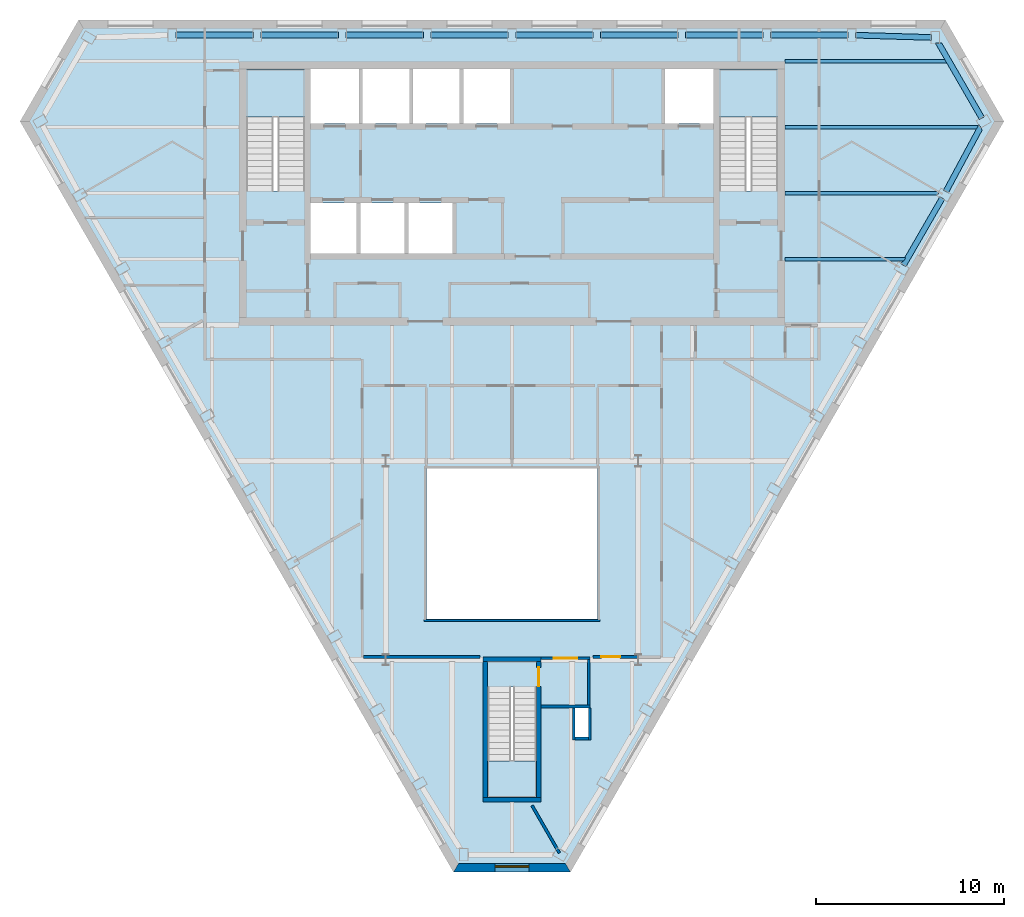
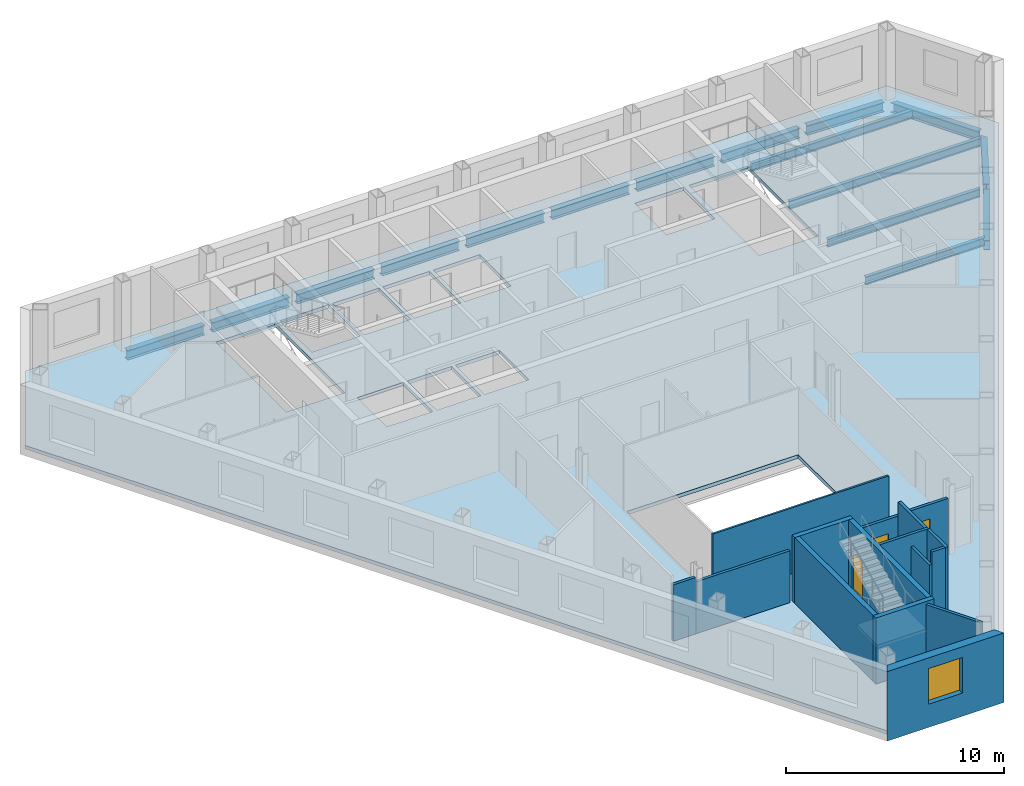
# One storey, part 3 of 10: 16 beams, 16 walls, 4 slabs, 3 doors, 1 window, 4 openings, 3 elements without a shape of their own.
"""IFC4 building model written with IfcOpenShell, lengths in metres."""

from ifc_helpers import new_model, si_unit, direction, frame, frame_2d, origin, origin_2d, place, context, subcontext, project, spatial, polyline, rectangle, i_section, outline, extrude, clip, halfspace, material, layer, layer_set, material_profile, profile_set, type_object, element, fill, aggregate, save


model = new_model("IFC4")

# Units and contexts
model_context = context("Model", 3, precision=1e-05, world=origin(), true_north=direction((0.0, 1.0)))
body_context = subcontext(model_context, "Body", "Model", "MODEL_VIEW")
ifc_project = project(units=[si_unit("LENGTHUNIT", "METRE"), si_unit("AREAUNIT", "SQUARE_METRE"), si_unit("VOLUMEUNIT", "CUBIC_METRE"), si_unit("PLANEANGLEUNIT", "RADIAN"), si_unit("MASSUNIT", "GRAM", prefix="KILO")], contexts=[model_context])

# Site, building, storey
site_placement = place(None, origin())
site = spatial("IfcSite", under=ifc_project, at=site_placement, CompositionType="ELEMENT")
building_placement = place(site_placement, origin())
building = spatial("IfcBuilding", under=site, at=building_placement, Name="Njiva Tower", CompositionType="ELEMENT")
storey_placement = place(building_placement, frame((0.0, 0.0, 249.3)))
storey = spatial("IfcBuildingStorey", under=building, at=storey_placement, Name="L56", CompositionType="ELEMENT", Elevation=249.3)

# Beams
ifc_material_1 = material(Name="Steel S355 J2", Category="steel")
ifc_material_profile_1 = material_profile(ifc_material_1, i_section(OverallWidth=0.19, OverallDepth=0.45, WebThickness=0.0094, FlangeThickness=0.0146, at=origin_2d()), Name="IPE 450")
ifc_profile_set_1 = profile_set([ifc_material_profile_1], Name="Steel S355 J2")
beam_type_1 = type_object("IfcBeamType", Name="B37 Floor beam to the core IPE 450", PredefinedType="BEAM", material=ifc_profile_set_1)
beam_1_placement = place(storey_placement, frame((14.5, 7.5, -0.425), z_axis=(1.0, 0.0, 0.0), x_axis=(0.0, 1.0, 0.0)))
element("IfcBeam", 1, at=beam_1_placement, inside=storey, type_object=beam_type_1, Name="Floor beam to the core S18-B015", PredefinedType="BEAM", context=body_context, shape_type="Clipping", body=[
    clip(extrude(i_section(OverallWidth=0.19, OverallDepth=0.45, WebThickness=0.0094, FlangeThickness=0.0146, at=origin_2d()), origin(), (0.0, 0.0, 1.0), 6.418), halfspace(frame((-0.025, 0.0, 6.329), z_axis=(-0.499998009787, 0.0, 0.866026552831), x_axis=(0.0, 1.0, 0.0)), False)),
])
beam_2_placement = place(storey_placement, frame((14.5, 11.0, -0.425), z_axis=(1.0, 0.0, 0.0), x_axis=(0.0, 1.0, 0.0)))
element("IfcBeam", 2, at=beam_2_placement, inside=storey, type_object=beam_type_1, Name="Floor beam to the core S18-B016", PredefinedType="BEAM", context=body_context, shape_type="Clipping", body=[
    clip(extrude(i_section(OverallWidth=0.19, OverallDepth=0.45, WebThickness=0.0094, FlangeThickness=0.0146, at=origin_2d()), origin(), (0.0, 0.0, 1.0), 8.209), halfspace(frame((-0.025, 0.0, 8.1191), z_axis=(-0.499998009787, 0.0, 0.866026552831), x_axis=(0.0, 1.0, 0.0)), False)),
])
beam_3_placement = place(storey_placement, frame((14.5, 18.0, -0.425), z_axis=(1.0, 0.0, 0.0), x_axis=(0.0, 1.0, 0.0)))
element("IfcBeam", 3, at=beam_3_placement, inside=storey, type_object=beam_type_1, Name="Floor beam to the core S18-B019", PredefinedType="BEAM", context=body_context, shape_type="Clipping", body=[
    clip(extrude(i_section(OverallWidth=0.19, OverallDepth=0.45, WebThickness=0.0094, FlangeThickness=0.0146, at=origin_2d()), origin(), (0.0, 0.0, 1.0), 8.657), halfspace(frame((0.025, 0.0, 8.5678), z_axis=(0.499998009787, 0.0, 0.866026552831), x_axis=(0.0, 1.0, 0.0)), False)),
])
ifc_material_profile_2 = material_profile(ifc_material_1, i_section(OverallWidth=0.3, OverallDepth=0.54, WebThickness=0.0125, FlangeThickness=0.024, at=origin_2d()), Name="HEA 550")
ifc_profile_set_2 = profile_set([ifc_material_profile_2], Name="Steel S355 J2")
beam_type_2 = type_object("IfcBeamType", Name="B39 Short-span spandrel beam HEA 550", PredefinedType="SPANDREL", material=ifc_profile_set_2)
beam_4_placement = place(storey_placement, frame((22.262, 19.273, -0.47), z_axis=(-0.999548216451, 0.030055997562, 0.0), x_axis=(-0.030055997562, -0.999548216451, 0.0)))
element("IfcBeam", 4, at=beam_4_placement, inside=storey, type_object=beam_type_2, Name="Short-span spandrel beam S18-B137", PredefinedType="SPANDREL", context=body_context, shape_type="SweptSolid", body=[
    extrude(i_section(OverallWidth=0.3, OverallDepth=0.54, WebThickness=0.0125, FlangeThickness=0.024, at=origin_2d()), origin(), (0.0, 0.0, 1.0), 4.0258),
])
beam_5_placement = place(storey_placement, frame((17.834, 19.4, -0.47), z_axis=(-1.0, 0.0, 0.0), x_axis=(0.0, -1.0, 0.0)))
element("IfcBeam", 5, at=beam_5_placement, inside=storey, type_object=beam_type_2, Name="Short-span spandrel beam S18-B131", PredefinedType="SPANDREL", context=body_context, shape_type="SweptSolid", body=[
    extrude(i_section(OverallWidth=0.3, OverallDepth=0.54, WebThickness=0.0125, FlangeThickness=0.024, at=origin_2d()), origin(), (0.0, 0.0, 1.0), 4.108),
])
beam_6_placement = place(storey_placement, frame((13.326, 19.4, -0.47), z_axis=(-1.0, 0.0, 0.0), x_axis=(0.0, -1.0, 0.0)))
element("IfcBeam", 6, at=beam_6_placement, inside=storey, type_object=beam_type_2, Name="Short-span spandrel beam S18-B125", PredefinedType="SPANDREL", context=body_context, shape_type="SweptSolid", body=[
    extrude(i_section(OverallWidth=0.3, OverallDepth=0.54, WebThickness=0.0125, FlangeThickness=0.024, at=origin_2d()), origin(), (0.0, 0.0, 1.0), 4.109),
])
beam_7_placement = place(storey_placement, frame((8.817, 19.4, -0.47), z_axis=(-1.0, 0.0, 0.0), x_axis=(0.0, -1.0, 0.0)))
element("IfcBeam", 7, at=beam_7_placement, inside=storey, type_object=beam_type_2, Name="Short-span spandrel beam S18-B119", PredefinedType="SPANDREL", context=body_context, shape_type="SweptSolid", body=[
    extrude(i_section(OverallWidth=0.3, OverallDepth=0.54, WebThickness=0.0125, FlangeThickness=0.024, at=origin_2d()), origin(), (0.0, 0.0, 1.0), 4.108),
])
for number, where, z_axis, x_axis, name in (
    (8, (4.309, 19.4, -0.47), (-1.0, 0.0, 0.0), (0.0, -1.0, 0.0), "Short-span spandrel beam S18-B116"),
    (9, (-0.2, 19.4, -0.47), (-1.0, 0.0, 0.0), (0.0, -1.0, 0.0), "Short-span spandrel beam S18-B113"),
):
    element("IfcBeam", number, at=place(storey_placement, frame(where, z_axis=z_axis, x_axis=x_axis)), inside=storey, type_object=beam_type_2, Name=name, PredefinedType="SPANDREL", context=body_context, shape_type="SweptSolid", body=[
        extrude(i_section(OverallWidth=0.3, OverallDepth=0.54, WebThickness=0.0125, FlangeThickness=0.024, at=origin_2d()), origin(), (0.0, 0.0, 1.0), 4.109),
    ])
beam_8_placement = place(storey_placement, frame((-4.709, 19.4, -0.47), z_axis=(-1.0, 0.0, 0.0), x_axis=(0.0, -1.0, 0.0)))
element("IfcBeam", 10, at=beam_8_placement, inside=storey, type_object=beam_type_2, Name="Short-span spandrel beam S18-B108", PredefinedType="SPANDREL", context=body_context, shape_type="SweptSolid", body=[
    extrude(i_section(OverallWidth=0.3, OverallDepth=0.54, WebThickness=0.0125, FlangeThickness=0.024, at=origin_2d()), origin(), (0.0, 0.0, 1.0), 4.108),
])
beam_9_placement = place(storey_placement, frame((-9.217, 19.4, -0.47), z_axis=(-1.0, 0.0, 0.0), x_axis=(0.0, -1.0, 0.0)))
element("IfcBeam", 11, at=beam_9_placement, inside=storey, type_object=beam_type_2, Name="Short-span spandrel beam S18-B102", PredefinedType="SPANDREL", context=body_context, shape_type="SweptSolid", body=[
    extrude(i_section(OverallWidth=0.3, OverallDepth=0.54, WebThickness=0.0125, FlangeThickness=0.024, at=origin_2d()), origin(), (0.0, 0.0, 1.0), 4.109),
])
beam_10_placement = place(storey_placement, frame((-13.726, 19.4, -0.47), z_axis=(-1.0, 0.0, 0.0), x_axis=(0.0, -1.0, 0.0)))
element("IfcBeam", 12, at=beam_10_placement, inside=storey, type_object=beam_type_2, Name="Short-span spandrel beam S18-B096", PredefinedType="SPANDREL", context=body_context, shape_type="SweptSolid", body=[
    extrude(i_section(OverallWidth=0.3, OverallDepth=0.54, WebThickness=0.0125, FlangeThickness=0.024, at=origin_2d()), origin(), (0.0, 0.0, 1.0), 4.108),
])
beam_11_placement = place(storey_placement, frame((20.778, 7.186, -0.47), z_axis=(0.499961250474, 0.866047774678, 0.0), x_axis=(-0.866047774678, 0.499961250474, 0.0)))
element("IfcBeam", 13, at=beam_11_placement, inside=storey, type_object=beam_type_2, Name="Short-span spandrel beam S18-B141", PredefinedType="SPANDREL", context=body_context, shape_type="SweptSolid", body=[
    extrude(i_section(OverallWidth=0.3, OverallDepth=0.54, WebThickness=0.0125, FlangeThickness=0.024, at=origin_2d()), origin(), (0.0, 0.0, 1.0), 4.1083),
])
beam_12_placement = place(storey_placement, frame((23.028, 11.097, -0.47), z_axis=(0.473930673302, 0.880562159591, 0.0), x_axis=(-0.880562159591, 0.473930673302, 0.0)))
element("IfcBeam", 14, at=beam_12_placement, inside=storey, type_object=beam_type_2, Name="Short-span spandrel beam S18-B145", PredefinedType="SPANDREL", context=body_context, shape_type="Clipping", body=[
    clip(extrude(i_section(OverallWidth=0.3, OverallDepth=0.54, WebThickness=0.0125, FlangeThickness=0.024, at=origin_2d()), origin(), (0.0, 0.0, 1.0), 3.9912), halfspace(frame((-0.026, 0.0, 3.8617), z_axis=(-0.525625818196, 0.0, 0.85071587457), x_axis=(0.0, 1.0, 0.0)), False)),
])
ifc_material_profile_3 = material_profile(ifc_material_1, i_section(OverallWidth=0.3, OverallDepth=0.54, WebThickness=0.0125, FlangeThickness=0.024, at=origin_2d()), Name="HEA 550")
ifc_profile_set_3 = profile_set([ifc_material_profile_3], Name="Steel S355 J2")
beam_type_3 = type_object("IfcBeamType", Name="B44 Spandrel beam HEA 550", PredefinedType="SPANDREL", material=ifc_profile_set_3)
beam_13_placement = place(storey_placement, frame((24.933, 14.995, -0.47), z_axis=(-0.50012503653, 0.865953201874, 0.0), x_axis=(-0.865953201874, -0.50012503653, 0.0)))
element("IfcBeam", 15, at=beam_13_placement, inside=storey, type_object=beam_type_3, Name="Spandrel beam S18-B142", PredefinedType="SPANDREL", context=body_context, shape_type="Clipping", body=[
    clip(extrude(i_section(OverallWidth=0.3, OverallDepth=0.54, WebThickness=0.0125, FlangeThickness=0.024, at=origin_2d()), origin(), (0.0, 0.0, 1.0), 4.6939), halfspace(frame((-0.0254, 0.0, 4.5722), z_axis=(-0.50012503653, 0.0, 0.865953201874), x_axis=(0.0, 1.0, 0.0)), False)),
])
ifc_material_profile_4 = material_profile(ifc_material_1, i_section(OverallWidth=0.19, OverallDepth=0.45, WebThickness=0.0094, FlangeThickness=0.0146, at=origin_2d()), Name="IPE 450")
ifc_profile_set_4 = profile_set([ifc_material_profile_4], Name="Steel S355 J2")
beam_type_4 = type_object("IfcBeamType", Name="B45 Long-span floor beam to the core IPE 450", PredefinedType="BEAM", material=ifc_profile_set_4)
beam_14_placement = place(storey_placement, frame((14.5, 14.5, -0.425), z_axis=(1.0, 0.0, 0.0), x_axis=(0.0, 1.0, 0.0)))
element("IfcBeam", 16, at=beam_14_placement, inside=storey, type_object=beam_type_4, Name="Long-span floor beam to the core S18-B018", PredefinedType="BEAM", context=body_context, shape_type="Clipping", body=[
    clip(extrude(i_section(OverallWidth=0.19, OverallDepth=0.45, WebThickness=0.0094, FlangeThickness=0.0146, at=origin_2d()), origin(), (0.0, 0.0, 1.0), 10.447), halfspace(frame((0.025, 0.0, 10.3581), z_axis=(0.499998009787, 0.0, 0.866026552831), x_axis=(0.0, 1.0, 0.0)), False)),
])

# Stair, slab
ifc_material_2 = material(Name="Concrete C40/50", Category="concrete")
stair_type_1 = type_object("IfcStairType", Name="ST3 Exit stair 1450", PredefinedType="HALF_TURN_STAIR", material=ifc_material_2)
stair_1_placement = place(storey_placement, origin())
stair_1 = element("IfcStair", 17, at=stair_1_placement, inside=storey, type_object=stair_type_1, Name="Stair A", PredefinedType="HALF_TURN_STAIR")
ifc_layer_1 = layer(ifc_material_2, 0.2)
ifc_layer_set_1 = layer_set([ifc_layer_1], Name="Concrete C40/50")
slab_type_1 = type_object("IfcSlabType", Name="FL9 Stair landing 200", PredefinedType="LANDING", material=ifc_layer_set_1)
slab_1_placement = place(storey_placement, frame((0.0, 0.0, 1.75)))
slab_1 = element("IfcSlab", 18, at=slab_1_placement, type_object=slab_type_1, Name="ST-A landing 1", PredefinedType="LANDING", context=body_context, shape_type="SweptSolid", body=[
    extrude(outline(polyline([(-14.106, 15.06), (-10.994, 15.06), (-10.994, 17.6), (-14.106, 17.6), (-14.106, 15.06)])), origin(), (0.0, 0.0, 1.0), 0.2),
])
aggregate(stair_1, [slab_1])

stair_2_placement = place(storey_placement, origin())
stair_2 = element("IfcStair", 19, at=stair_2_placement, inside=storey, type_object=stair_type_1, Name="Stair B", PredefinedType="HALF_TURN_STAIR")
slab_2_placement = place(storey_placement, frame((0.0, 0.0, 1.75)))
slab_2 = element("IfcSlab", 20, at=slab_2_placement, type_object=slab_type_1, Name="ST-B landing 1", PredefinedType="LANDING", context=body_context, shape_type="SweptSolid", body=[
    extrude(outline(polyline([(10.994, 15.06), (14.106, 15.06), (14.106, 17.6), (10.994, 17.6), (10.994, 15.06)])), origin(), (0.0, 0.0, 1.0), 0.2),
])
aggregate(stair_2, [slab_2])

stair_type_2 = type_object("IfcStairType", Name="ST1 Exit stair 1250", PredefinedType="HALF_TURN_STAIR", material=ifc_material_2)
stair_3_placement = place(storey_placement, origin())
stair_3 = element("IfcStair", 21, at=stair_3_placement, inside=storey, type_object=stair_type_2, Name="Stair C", PredefinedType="HALF_TURN_STAIR")
slab_3_placement = place(storey_placement, frame((0.0, 0.0, 1.75)))
slab_3 = element("IfcSlab", 22, at=slab_3_placement, type_object=slab_type_1, Name="ST-C landing 1", PredefinedType="LANDING", context=body_context, shape_type="SweptSolid", body=[
    extrude(outline(polyline([(-1.306, -21.05), (1.306, -21.05), (1.306, -19.12), (-1.306, -19.12), (-1.306, -21.05)])), origin(), (0.0, 0.0, 1.0), 0.2),
])
aggregate(stair_3, [slab_3])

# Slab
ifc_material_3 = material(Name="Concrete C30/37", Category="concrete")
ifc_layer_2 = layer(ifc_material_3, 0.2)
ifc_layer_set_2 = layer_set([ifc_layer_2], Name="Concrete C30/37")
slab_type_2 = type_object("IfcSlabType", Name="SL16 Composite floor slab 200", PredefinedType="FLOOR", material=ifc_layer_set_2)
slab_4_placement = place(storey_placement, frame((0.0, 0.0, -0.2)))
element("IfcSlab", 23, at=slab_4_placement, inside=storey, type_object=slab_type_2, Name="Floor slab L56", PredefinedType="FLOOR", context=body_context, shape_type="SweptSolid", body=[
    extrude(outline(polyline([(25.8502, 14.822), (2.9751, -24.7988), (-2.9751, -24.7988), (-25.8502, 14.822), (-22.8751, 19.975), (22.8751, 19.975), (25.8502, 14.822)]), holes=[polyline([(10.994, 11.13), (14.106, 11.13), (14.106, 17.6), (10.994, 17.6), (10.994, 11.13)]), polyline([(8.125, 14.7), (10.7, 14.7), (10.7, 17.6), (8.125, 17.6), (8.125, 14.7)]), polyline([(4.55, -11.6), (4.55, -3.6), (-4.55, -3.6), (-4.55, -11.6), (4.55, -11.6)]), polyline([(3.35, -17.85), (4.05, -17.85), (4.05, -16.3), (3.35, -16.3), (3.35, -17.85)]), polyline([(-1.306, -21.05), (1.306, -21.05), (1.306, -15.19), (-1.306, -15.19), (-1.306, -21.05)]), polyline([(-2.575, 14.7), (-0.1, 14.7), (-0.1, 17.6), (-2.575, 17.6), (-2.575, 14.7)]), polyline([(-2.775, 14.7), (-2.775, 17.6), (-5.25, 17.6), (-5.25, 14.7), (-2.775, 14.7)]), polyline([(-5.5, 7.8), (-3.15, 7.8), (-3.15, 10.5), (-5.5, 10.5), (-5.5, 7.8)]), polyline([(-7.925, 14.7), (-5.45, 14.7), (-5.45, 17.6), (-7.925, 17.6), (-7.925, 14.7)]), polyline([(-8.05, 7.8), (-5.7, 7.8), (-5.7, 10.5), (-8.05, 10.5), (-8.05, 7.8)]), polyline([(-10.7, 14.7), (-8.125, 14.7), (-8.125, 17.6), (-10.7, 17.6), (-10.7, 14.7)]), polyline([(-8.25, 7.8), (-8.25, 10.5), (-10.7, 10.5), (-10.7, 7.8), (-8.25, 7.8)]), polyline([(-10.994, 11.13), (-10.994, 17.6), (-14.106, 17.6), (-14.106, 11.13), (-10.994, 11.13)])]), origin(), (0.0, 0.0, 1.0), 0.2),
])

# Walls
ifc_material_4 = material(Name="Gypsum board on steel studs", Category="gypsum")
ifc_layer_3 = layer(ifc_material_4, 0.15)
ifc_layer_set_3 = layer_set([ifc_layer_3], Name="Gypsum board on steel studs")
wall_type_1 = type_object("IfcWallType", Name="WT21 Compartment wall 150", PredefinedType="PARTITIONING", material=ifc_layer_set_3)
wall_1_placement = place(storey_placement, frame((-7.875, -13.6, 0.0), z_axis=(0.0, 0.0, 1.0), x_axis=(1.0, 0.0, 0.0)))
element("IfcWall", 24, at=wall_1_placement, inside=storey, type_object=wall_type_1, Name="Partition S18-P012", PredefinedType="PARTITIONING", context=body_context, shape_type="SweptSolid", body=[
    extrude(rectangle(XDim=1.175, YDim=0.15, at=frame_2d((0.5875, 0.0))), origin(), (0.0, 0.0, 1.0), 3.16),
])
wall_2_placement = place(storey_placement, frame((-6.7, -13.6, 0.0), z_axis=(0.0, 0.0, 1.0), x_axis=(1.0, 0.0, 0.0)))
element("IfcWall", 25, at=wall_2_placement, inside=storey, type_object=wall_type_1, Name="Partition S18-P012A", PredefinedType="PARTITIONING", context=body_context, shape_type="SweptSolid", body=[
    extrude(rectangle(XDim=5.0, YDim=0.15, at=frame_2d((2.5, 0.0))), origin(), (0.0, 0.0, 1.0), 2.91),
])
wall_3_placement = place(storey_placement, frame((1.063, -21.487, 0.0), z_axis=(0.0, 0.0, 1.0), x_axis=(0.499543741449, -0.866288664579, 0.0)))
element("IfcWall", 26, at=wall_3_placement, inside=storey, type_object=wall_type_1, Name="Partition S18-P017", PredefinedType="PARTITIONING", context=body_context, shape_type="SweptSolid", body=[
    extrude(rectangle(XDim=2.9067, YDim=0.15, at=frame_2d((1.4534, 0.0))), origin(), (0.0, 0.0, 1.0), 3.7),
])

# Wall, opening, door
wall_4_placement = place(storey_placement, frame((4.3, -13.6, 0.0), z_axis=(0.0, 0.0, 1.0), x_axis=(1.0, 0.0, 0.0)))
wall_4 = element("IfcWall", 27, at=wall_4_placement, inside=storey, type_object=wall_type_1, Name="Partition S18-P018", PredefinedType="PARTITIONING", context=body_context, shape_type="SweptSolid", body=[
    extrude(rectangle(XDim=2.4, YDim=0.15, at=frame_2d((1.2, 0.0))), origin(), (0.0, 0.0, 1.0), 2.91),
])
opening_1_placement = place(wall_4_placement, frame((0.438, 0.0, 0.0)))
opening_1 = element("IfcOpeningElement", 28, at=opening_1_placement, cuts=wall_4, Name="Opening S18-D012", PredefinedType="OPENING", context=body_context, shape_type="SweptSolid", body=[
    extrude(rectangle(XDim=1.0, YDim=2.1, at=frame_2d((0.5, 1.05))), frame((0.0, 0.085, 0.0), z_axis=(0.0, -1.0, 0.0), x_axis=(1.0, 0.0, 0.0)), (0.0, 0.0, 1.0), 0.17),
])
ifc_material_5 = material(Name="Steel fire door set", Category="steel")
door_type_1 = type_object("IfcDoorType", Name="D37 Fire door 1000x2100", OperationType="SINGLE_SWING_LEFT", PredefinedType="DOOR", material=ifc_material_5)
door_1_placement = place(opening_1_placement, origin())
door_1 = element("IfcDoor", 29, at=door_1_placement, inside=storey, type_object=door_type_1, Name="Door S18-D012", OperationType="SINGLE_SWING_LEFT", OverallHeight=2.1, OverallWidth=1.0, PredefinedType="DOOR", context=body_context, shape_type="SweptSolid", body=[
    extrude(rectangle(XDim=1.0, YDim=2.1, at=frame_2d((0.5, 1.05))), frame((0.0, 0.025, 0.0), z_axis=(0.0, -1.0, 0.0), x_axis=(1.0, 0.0, 0.0)), (0.0, 0.0, 1.0), 0.05),
])
fill(opening_1, door_1)

# Walls
ifc_material_6 = material(Name="Blockwork", Category="masonry")
ifc_layer_4 = layer(ifc_material_6, 0.15)
ifc_layer_set_4 = layer_set([ifc_layer_4], Name="Blockwork")
wall_type_2 = type_object("IfcWallType", Name="WT4 Stair partition 150", PredefinedType="PARTITIONING", material=ifc_layer_set_4)
wall_5_placement = place(storey_placement, frame((1.55, -16.225, 0.0), z_axis=(0.0, 0.0, 1.0), x_axis=(1.0, 0.0, 0.0)))
element("IfcWall", 30, at=wall_5_placement, inside=storey, type_object=wall_type_2, Name="Stair C vestibule wall south", PredefinedType="PARTITIONING", context=body_context, shape_type="SweptSolid", body=[
    extrude(rectangle(XDim=2.6, YDim=0.15, at=frame_2d((1.3, 0.0))), origin(), (0.0, 0.0, 1.0), 3.7),
])
wall_6_placement = place(storey_placement, frame((4.075, -16.15, 0.0), z_axis=(0.0, 0.0, 1.0), x_axis=(0.0, 1.0, 0.0)))
element("IfcWall", 31, at=wall_6_placement, inside=storey, type_object=wall_type_2, Name="Stair C vestibule wall east", PredefinedType="PARTITIONING", context=body_context, shape_type="SweptSolid", body=[
    extrude(rectangle(XDim=2.4, YDim=0.15, at=frame_2d((1.2, 0.0))), origin(), (0.0, 0.0, 1.0), 3.7),
])

# Wall, opening, door
wall_7_placement = place(storey_placement, frame((1.55, -13.675, 0.0), z_axis=(0.0, 0.0, 1.0), x_axis=(1.0, 0.0, 0.0)))
wall_7 = element("IfcWall", 32, at=wall_7_placement, inside=storey, type_object=wall_type_2, Name="Stair C vestibule wall north", PredefinedType="PARTITIONING", context=body_context, shape_type="SweptSolid", body=[
    extrude(rectangle(XDim=2.6, YDim=0.15, at=frame_2d((1.3, 0.0))), origin(), (0.0, 0.0, 1.0), 2.91),
])
opening_2_placement = place(wall_7_placement, frame((0.675, 0.0, 0.0)))
opening_2 = element("IfcOpeningElement", 33, at=opening_2_placement, cuts=wall_7, Name="Opening S18-D929", PredefinedType="OPENING", context=body_context, shape_type="SweptSolid", body=[
    extrude(rectangle(XDim=1.25, YDim=2.1, at=frame_2d((0.625, 1.05))), frame((0.0, 0.085, 0.0), z_axis=(0.0, -1.0, 0.0), x_axis=(1.0, 0.0, 0.0)), (0.0, 0.0, 1.0), 0.17),
])
ifc_material_7 = material(Name="Glazed steel fire door", Category="steel")
door_type_2 = type_object("IfcDoorType", Name="D8 Vestibule corridor door 1250x2100 glazed", OperationType="SINGLE_SWING_LEFT", PredefinedType="DOOR", material=ifc_material_7)
door_2_placement = place(opening_2_placement, origin())
door_2 = element("IfcDoor", 34, at=door_2_placement, inside=storey, type_object=door_type_2, Name="Stair vestibule corridor door", OperationType="SINGLE_SWING_RIGHT", OverallHeight=2.1, OverallWidth=1.25, PredefinedType="DOOR", context=body_context, shape_type="SweptSolid", body=[
    extrude(rectangle(XDim=1.25, YDim=2.1, at=frame_2d((0.625, 1.05))), frame((0.0, 0.025, 0.0), z_axis=(0.0, -1.0, 0.0), x_axis=(1.0, 0.0, 0.0)), (0.0, 0.0, 1.0), 0.05),
])
fill(opening_2, door_2)

# Walls
wall_8_placement = place(storey_placement, frame((3.275, -18.0, 0.0), z_axis=(0.0, 0.0, 1.0), x_axis=(0.0, 1.0, 0.0)))
element("IfcWall", 35, at=wall_8_placement, inside=storey, type_object=wall_type_2, Name="Stair C pressurisation shaft wall", PredefinedType="PARTITIONING", context=body_context, shape_type="SweptSolid", body=[
    extrude(rectangle(XDim=1.7, YDim=0.15, at=frame_2d((0.85, 0.0))), origin(), (0.0, 0.0, 1.0), 3.01),
])
wall_9_placement = place(storey_placement, frame((3.35, -17.925, 0.0), z_axis=(0.0, 0.0, 1.0), x_axis=(1.0, 0.0, 0.0)))
element("IfcWall", 36, at=wall_9_placement, inside=storey, type_object=wall_type_2, Name="Stair C pressurisation shaft wall", PredefinedType="PARTITIONING", context=body_context, shape_type="SweptSolid", body=[
    extrude(rectangle(XDim=0.7, YDim=0.15, at=frame_2d((0.35, 0.0))), origin(), (0.0, 0.0, 1.0), 3.7),
])
wall_10_placement = place(storey_placement, frame((4.125, -18.0, 0.0), z_axis=(0.0, 0.0, 1.0), x_axis=(0.0, 1.0, 0.0)))
element("IfcWall", 37, at=wall_10_placement, inside=storey, type_object=wall_type_2, Name="Stair C pressurisation shaft wall", PredefinedType="PARTITIONING", context=body_context, shape_type="SweptSolid", body=[
    extrude(rectangle(XDim=1.7, YDim=0.15, at=frame_2d((0.85, 0.0))), origin(), (0.0, 0.0, 1.0), 3.7),
])
ifc_layer_5 = layer(ifc_material_2, 0.25)
ifc_layer_set_5 = layer_set([ifc_layer_5], Name="Concrete C40/50")
wall_type_3 = type_object("IfcWallType", Name="WT9 Stair enclosure wall 250", PredefinedType="SHEAR", material=ifc_layer_set_5)
wall_11_placement = place(storey_placement, frame((-1.425, -21.05, 0.0), z_axis=(0.0, 0.0, 1.0), x_axis=(0.0, 1.0, 0.0)))
element("IfcWall", 38, at=wall_11_placement, inside=storey, type_object=wall_type_3, Name="Stair C wall west", PredefinedType="SHEAR", context=body_context, shape_type="SweptSolid", body=[
    extrude(rectangle(XDim=7.2, YDim=0.25, at=frame_2d((3.6, 0.0))), origin(), (0.0, 0.0, 1.0), 3.7),
])

# Wall, opening, door
wall_12_placement = place(storey_placement, frame((1.425, -21.05, 0.0), z_axis=(0.0, 0.0, 1.0), x_axis=(0.0, 1.0, 0.0)))
wall_12 = element("IfcWall", 39, at=wall_12_placement, inside=storey, type_object=wall_type_3, Name="Stair C wall east", PredefinedType="SHEAR", context=body_context, shape_type="SweptSolid", body=[
    extrude(rectangle(XDim=7.2, YDim=0.25, at=frame_2d((3.6, 0.0))), origin(), (0.0, 0.0, 1.0), 3.7),
])
opening_3_placement = place(wall_12_placement, frame((5.89, 0.0, 0.0)))
opening_3 = element("IfcOpeningElement", 40, at=opening_3_placement, cuts=wall_12, Name="Opening S18-D928", PredefinedType="OPENING", context=body_context, shape_type="SweptSolid", body=[
    extrude(rectangle(XDim=1.0, YDim=2.1, at=frame_2d((0.5, 1.05))), frame((0.0, 0.135, 0.0), z_axis=(0.0, -1.0, 0.0), x_axis=(1.0, 0.0, 0.0)), (0.0, 0.0, 1.0), 0.27),
])
door_type_3 = type_object("IfcDoorType", Name="D9 Stair vestibule door 1000x2100 glazed", OperationType="SINGLE_SWING_LEFT", PredefinedType="DOOR", material=ifc_material_7)
door_3_placement = place(opening_3_placement, origin())
door_3 = element("IfcDoor", 41, at=door_3_placement, inside=storey, type_object=door_type_3, Name="Stair C door", OperationType="SINGLE_SWING_LEFT", OverallHeight=2.1, OverallWidth=1.0, PredefinedType="DOOR", context=body_context, shape_type="SweptSolid", body=[
    extrude(rectangle(XDim=1.0, YDim=2.1, at=frame_2d((0.5, 1.05))), frame((0.0, 0.025, 0.0), z_axis=(0.0, -1.0, 0.0), x_axis=(1.0, 0.0, 0.0)), (0.0, 0.0, 1.0), 0.05),
])
fill(opening_3, door_3)

# Walls
for number, where, z_axis, x_axis, name in (
    (42, (-1.55, -21.175, 0.0), (0.0, 0.0, 1.0), (1.0, 0.0, 0.0), "Stair C wall south"),
    (43, (-1.55, -13.725, 0.0), (0.0, 0.0, 1.0), (1.0, 0.0, 0.0), "Stair C wall north"),
):
    element("IfcWall", number, at=place(storey_placement, frame(where, z_axis=z_axis, x_axis=x_axis)), inside=storey, type_object=wall_type_3, Name=name, PredefinedType="SHEAR", context=body_context, shape_type="SweptSolid", body=[
        extrude(rectangle(XDim=3.1, YDim=0.25, at=frame_2d((1.55, 0.0))), origin(), (0.0, 0.0, 1.0), 3.7),
    ])

# Wall, opening, window
ifc_material_8 = material(Name="Brick masonry, buff", Category="masonry")
ifc_layer_6 = layer(ifc_material_8, 0.45)
ifc_layer_set_6 = layer_set([ifc_layer_6], Name="Brick masonry, buff")
wall_type_4 = type_object("IfcWallType", Name="WT94 Brick pier and spandrel wall 450, buff", PredefinedType="SOLIDWALL", material=ifc_layer_set_6)
wall_13_placement = place(storey_placement, frame((-2.9751, -24.7988, -0.4), z_axis=(0.0, 0.0, 1.0), x_axis=(1.0, 0.0, 0.0)))
wall_13 = element("IfcWall", 44, at=wall_13_placement, inside=storey, type_object=wall_type_4, Name="Facade wall S", PredefinedType="SOLIDWALL", context=body_context, shape_type="SweptSolid", body=[
    extrude(outline(polyline([(-0.1299, -0.225), (6.0801, -0.225), (5.8203, 0.225), (0.1299, 0.225), (-0.1299, -0.225)])), origin(), (0.0, 0.0, 1.0), 3.9),
])
opening_4_placement = place(wall_13_placement, frame((2.0751, 0.0, 1.3)))
opening_4 = element("IfcOpeningElement", 45, at=opening_4_placement, cuts=wall_13, Name="Opening S18-W18", PredefinedType="OPENING", context=body_context, shape_type="SweptSolid", body=[
    extrude(rectangle(XDim=1.8, YDim=2.0, at=frame_2d((0.9, 1.0))), frame((0.0, 0.235, 0.0), z_axis=(0.0, -1.0, 0.0), x_axis=(1.0, 0.0, 0.0)), (0.0, 0.0, 1.0), 0.47),
])
ifc_material_9 = material(Name="Clear glazing in aluminium frame", Category="aluminium")
window_type = type_object("IfcWindowType", Name="W94 Deep-set window 1800x2000", PartitioningType="SINGLE_PANEL", PredefinedType="WINDOW", material=ifc_material_9)
window_placement = place(opening_4_placement, origin())
window = element("IfcWindow", 46, at=window_placement, inside=storey, type_object=window_type, Name="Window", OverallHeight=2.0, OverallWidth=1.8, PartitioningType="SINGLE_PANEL", PredefinedType="WINDOW", context=body_context, shape_type="SweptSolid", body=[
    extrude(rectangle(XDim=1.8, YDim=2.0, at=frame_2d((0.9, 1.0))), frame((0.0, 0.105, 0.0), z_axis=(0.0, -1.0, 0.0), x_axis=(1.0, 0.0, 0.0)), (0.0, 0.0, 1.0), 0.06),
])
fill(opening_4, window)

# Wall
ifc_material_10 = material(Name="Fire-resisting glazing EI 90", Category="glass")
ifc_layer_7 = layer(ifc_material_10, 0.1)
ifc_layer_set_7 = layer_set([ifc_layer_7], Name="Fire-resisting glazing EI 90")
wall_type_5 = type_object("IfcWallType", Name="WT95 Fire-resisting glazed screen EI 90", PredefinedType="PARTITIONING", material=ifc_layer_set_7)
wall_14_placement = place(storey_placement, frame((-4.67, -11.67, 0.0), z_axis=(0.0, 0.0, 1.0), x_axis=(1.0, 0.0, 0.0)))
element("IfcWall", 47, at=wall_14_placement, inside=storey, type_object=wall_type_5, Name="Atrium fire screen south", PredefinedType="PARTITIONING", context=body_context, shape_type="SweptSolid", body=[
    extrude(rectangle(XDim=9.34, YDim=0.1, at=frame_2d((4.67, 0.0))), origin(), (0.0, 0.0, 1.0), 3.7),
])

save(model, "model.ifc")
